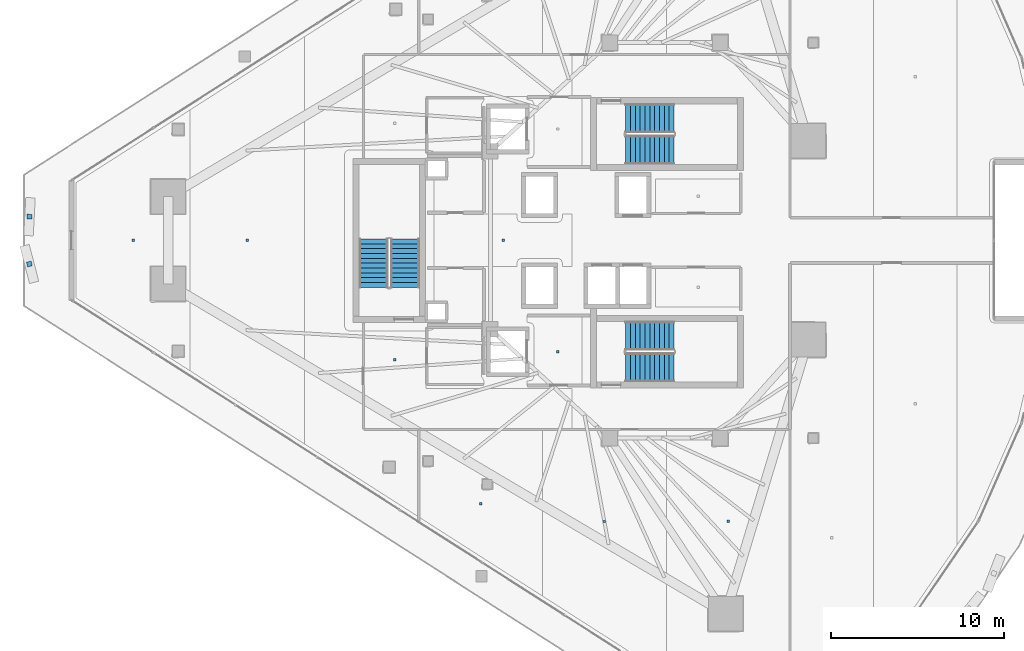
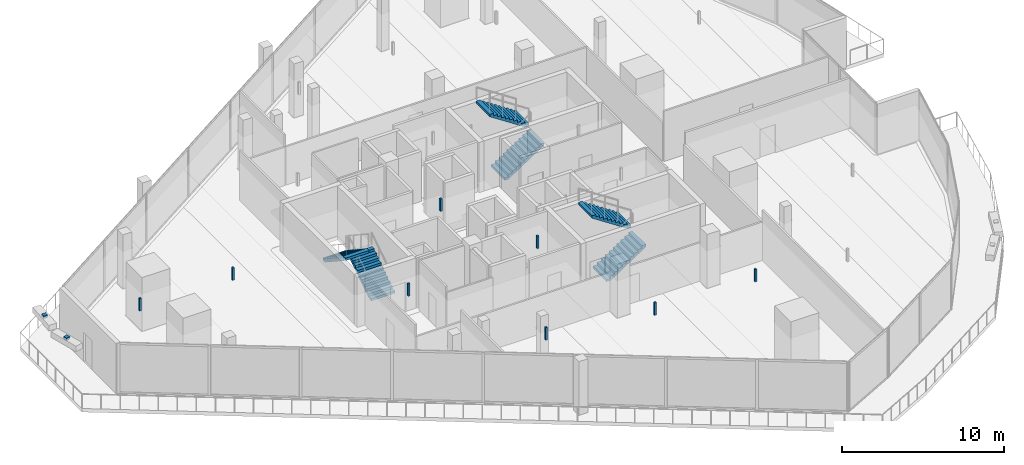
# One storey, part 27 of 36: 10 discrete accessories, 6 stair flights, 3 elements without a shape of their own.
"""IFC4 building model written with IfcOpenShell, lengths in metres."""

from ifc_helpers import new_model, si_unit, direction, frame, origin, origin_2d, place, context, subcontext, project, spatial, polyline, rectangle, outline, extrude, material, layer, layer_set, type_object, element, aggregate, save


model = new_model("IFC4")

# Units and contexts
model_context = context("Model", 3, precision=1e-05, world=origin(), true_north=direction((0.0, 1.0)))
body_context = subcontext(model_context, "Body", "Model", "MODEL_VIEW")
ifc_project = project(units=[si_unit("LENGTHUNIT", "METRE"), si_unit("AREAUNIT", "SQUARE_METRE"), si_unit("VOLUMEUNIT", "CUBIC_METRE"), si_unit("PLANEANGLEUNIT", "RADIAN"), si_unit("MASSUNIT", "GRAM", prefix="KILO")], contexts=[model_context])

# Site, building, storey
site_placement = place(None, origin())
site = spatial("IfcSite", under=ifc_project, at=site_placement, CompositionType="ELEMENT")
building_placement = place(site_placement, origin())
building = spatial("IfcBuilding", under=site, at=building_placement, Name="Qorvath Tower", CompositionType="ELEMENT")
storey_placement = place(building_placement, frame((0.0, 0.0, 192.89990234375)))
storey = spatial("IfcBuildingStorey", under=building, at=storey_placement, Name="L44", CompositionType="ELEMENT", Elevation=192.89990234375)

# Stair, stair flights
ifc_material_1 = material(Name="Concrete C50/60", Category="concrete")
stair_type = type_object("IfcStairType", Name="ST-H405", PredefinedType="HALF_TURN_STAIR", material=ifc_material_1)
stair_1_placement = place(storey_placement, origin())
stair_1 = element("IfcStair", 1, at=stair_1_placement, inside=storey, type_object=stair_type, Name="L44 Tower Exit Stair 1", PredefinedType="HALF_TURN_STAIR")
ifc_material_2 = material(Name="Concrete C50/60", Category="concrete")
ifc_layer = layer(ifc_material_2, 0.14990234375)
ifc_layer_set = layer_set([ifc_layer], Name="SF-H405")
stair_flight_type = type_object("IfcStairFlightType", Name="SF-H405", PredefinedType="STRAIGHT", material=ifc_layer_set)
stair_flight_1_placement = place(storey_placement, frame((-22.669921875, 5.239990234375, 0.0), z_axis=(0.0, 0.0, 1.0), x_axis=(1.0, 0.0, 0.0)))
stair_flight_1 = element("IfcStairFlight", 2, at=stair_flight_1_placement, type_object=stair_flight_type, Name="TS1 flight 1", NumberOfRisers=11, NumberOfTreads=10, PredefinedType="STRAIGHT", RiserHeight=0.184090909, TreadLength=0.28, context=body_context, shape_type="SweptSolid", body=[
    extrude(outline(polyline([(0.0, 0.0), (0.0, 0.18408203125), (0.280029296875, 0.18408203125), (0.280029296875, 0.3681640625), (0.56005859375, 0.3681640625), (0.56005859375, 0.55224609375), (0.840087890625, 0.55224609375), (0.840087890625, 0.736328125), (1.1201171875, 0.736328125), (1.1201171875, 0.92041015625), (1.39990234375, 0.92041015625), (1.39990234375, 1.1044921875), (1.679931640625, 1.1044921875), (1.679931640625, 1.28857421875), (1.9599609375, 1.28857421875), (1.9599609375, 1.47265625), (2.239990234375, 1.47265625), (2.239990234375, 1.65673828125), (2.52001953125, 1.65673828125), (2.52001953125, 1.8408203125), (2.800048828125, 1.8408203125), (2.800048828125, 2.02490234375), (2.800048828125, 1.66162109375), (0.27294921875, 0.0), (0.0, 0.0)])), frame((0.0, 0.83984375, 0.0), z_axis=(0.0, -1.0, 0.0), x_axis=(1.0, 0.0, 0.0)), (0.0, 0.0, 1.0), 1.679931640625),
])
stair_flight_2_placement = place(storey_placement, frame((-19.8701171875, 7.070068359375, 2.025146484375), z_axis=(0.0, 0.0, 1.0), x_axis=(-1.0, 0.0, 0.0)))
stair_flight_2 = element("IfcStairFlight", 3, at=stair_flight_2_placement, type_object=stair_flight_type, Name="TS1 flight 2", NumberOfRisers=11, NumberOfTreads=10, PredefinedType="STRAIGHT", RiserHeight=0.184090909, TreadLength=0.28, context=body_context, shape_type="SweptSolid", body=[
    extrude(outline(polyline([(0.0, 0.0), (0.0, 0.18408203125), (0.280029296875, 0.18408203125), (0.280029296875, 0.3681640625), (0.56005859375, 0.3681640625), (0.56005859375, 0.55224609375), (0.840087890625, 0.55224609375), (0.840087890625, 0.736328125), (1.1201171875, 0.736328125), (1.1201171875, 0.92041015625), (1.39990234375, 0.92041015625), (1.39990234375, 1.1044921875), (1.679931640625, 1.1044921875), (1.679931640625, 1.28857421875), (1.9599609375, 1.28857421875), (1.9599609375, 1.47265625), (2.239990234375, 1.47265625), (2.239990234375, 1.65673828125), (2.52001953125, 1.65673828125), (2.52001953125, 1.8408203125), (2.800048828125, 1.8408203125), (2.800048828125, 2.02490234375), (2.800048828125, 1.66162109375), (0.27294921875, 0.0), (0.0, 0.0)])), frame((0.0, 0.83984375, 0.0), z_axis=(0.0, -1.0, 0.0), x_axis=(1.0, 0.0, 0.0)), (0.0, 0.0, 1.0), 1.679931640625),
])
aggregate(stair_1, [stair_flight_1, stair_flight_2])

stair_2_placement = place(storey_placement, origin())
stair_2 = element("IfcStair", 4, at=stair_2_placement, inside=storey, type_object=stair_type, Name="L44 Tower Exit Stair 2", PredefinedType="HALF_TURN_STAIR")
stair_flight_3_placement = place(storey_placement, frame((-22.669921875, -7.360107421875, 0.0), z_axis=(0.0, 0.0, 1.0), x_axis=(1.0, 0.0, 0.0)))
stair_flight_3 = element("IfcStairFlight", 5, at=stair_flight_3_placement, type_object=stair_flight_type, Name="TS2 flight 1", NumberOfRisers=11, NumberOfTreads=10, PredefinedType="STRAIGHT", RiserHeight=0.184090909, TreadLength=0.28, context=body_context, shape_type="SweptSolid", body=[
    extrude(outline(polyline([(0.0, 0.0), (0.0, 0.18408203125), (0.280029296875, 0.18408203125), (0.280029296875, 0.3681640625), (0.56005859375, 0.3681640625), (0.56005859375, 0.55224609375), (0.840087890625, 0.55224609375), (0.840087890625, 0.736328125), (1.1201171875, 0.736328125), (1.1201171875, 0.92041015625), (1.39990234375, 0.92041015625), (1.39990234375, 1.1044921875), (1.679931640625, 1.1044921875), (1.679931640625, 1.28857421875), (1.9599609375, 1.28857421875), (1.9599609375, 1.47265625), (2.239990234375, 1.47265625), (2.239990234375, 1.65673828125), (2.52001953125, 1.65673828125), (2.52001953125, 1.8408203125), (2.800048828125, 1.8408203125), (2.800048828125, 2.02490234375), (2.800048828125, 1.66162109375), (0.27294921875, 0.0), (0.0, 0.0)])), frame((0.0, 0.83984375, 0.0), z_axis=(0.0, -1.0, 0.0), x_axis=(1.0, 0.0, 0.0)), (0.0, 0.0, 1.0), 1.679931640625),
])
stair_flight_4_placement = place(storey_placement, frame((-19.8701171875, -5.530029296875, 2.025146484375), z_axis=(0.0, 0.0, 1.0), x_axis=(-1.0, 0.0, 0.0)))
stair_flight_4 = element("IfcStairFlight", 6, at=stair_flight_4_placement, type_object=stair_flight_type, Name="TS2 flight 2", NumberOfRisers=11, NumberOfTreads=10, PredefinedType="STRAIGHT", RiserHeight=0.184090909, TreadLength=0.28, context=body_context, shape_type="SweptSolid", body=[
    extrude(outline(polyline([(0.0, 0.0), (0.0, 0.18408203125), (0.280029296875, 0.18408203125), (0.280029296875, 0.3681640625), (0.56005859375, 0.3681640625), (0.56005859375, 0.55224609375), (0.840087890625, 0.55224609375), (0.840087890625, 0.736328125), (1.1201171875, 0.736328125), (1.1201171875, 0.92041015625), (1.39990234375, 0.92041015625), (1.39990234375, 1.1044921875), (1.679931640625, 1.1044921875), (1.679931640625, 1.28857421875), (1.9599609375, 1.28857421875), (1.9599609375, 1.47265625), (2.239990234375, 1.47265625), (2.239990234375, 1.65673828125), (2.52001953125, 1.65673828125), (2.52001953125, 1.8408203125), (2.800048828125, 1.8408203125), (2.800048828125, 2.02490234375), (2.800048828125, 1.66162109375), (0.27294921875, 0.0), (0.0, 0.0)])), frame((0.0, 0.83984375, 0.0), z_axis=(0.0, -1.0, 0.0), x_axis=(1.0, 0.0, 0.0)), (0.0, 0.0, 1.0), 1.679931640625),
])
aggregate(stair_2, [stair_flight_3, stair_flight_4])

stair_3_placement = place(storey_placement, origin())
stair_3 = element("IfcStair", 7, at=stair_3_placement, inside=storey, type_object=stair_type, Name="L44 Tower Exit Stair 3", PredefinedType="HALF_TURN_STAIR")
stair_flight_5_placement = place(storey_placement, frame((-35.43994140625, -2.719970703125, 0.0), z_axis=(0.0, 0.0, 1.0), x_axis=(0.0, 1.0, 0.0)))
stair_flight_5 = element("IfcStairFlight", 8, at=stair_flight_5_placement, type_object=stair_flight_type, Name="TS3 flight 1", NumberOfRisers=11, NumberOfTreads=10, PredefinedType="STRAIGHT", RiserHeight=0.184090909, TreadLength=0.28, context=body_context, shape_type="SweptSolid", body=[
    extrude(outline(polyline([(0.0, 0.0), (0.0, 0.18408203125), (0.280029296875, 0.18408203125), (0.280029296875, 0.3681640625), (0.56005859375, 0.3681640625), (0.56005859375, 0.55224609375), (0.840087890625, 0.55224609375), (0.840087890625, 0.736328125), (1.1201171875, 0.736328125), (1.1201171875, 0.92041015625), (1.39990234375, 0.92041015625), (1.39990234375, 1.1044921875), (1.679931640625, 1.1044921875), (1.679931640625, 1.28857421875), (1.9599609375, 1.28857421875), (1.9599609375, 1.47265625), (2.239990234375, 1.47265625), (2.239990234375, 1.65673828125), (2.52001953125, 1.65673828125), (2.52001953125, 1.8408203125), (2.800048828125, 1.8408203125), (2.800048828125, 2.02490234375), (2.800048828125, 1.66162109375), (0.27294921875, 0.0), (0.0, 0.0)])), frame((0.0, 0.83984375, 0.0), z_axis=(0.0, -1.0, 0.0), x_axis=(1.0, 0.0, 0.0)), (0.0, 0.0, 1.0), 1.679931640625),
])
stair_flight_6_placement = place(storey_placement, frame((-37.27001953125, 0.080078125, 2.025146484375), z_axis=(0.0, 0.0, 1.0), x_axis=(0.0, -1.0, 0.0)))
stair_flight_6 = element("IfcStairFlight", 9, at=stair_flight_6_placement, type_object=stair_flight_type, Name="TS3 flight 2", NumberOfRisers=11, NumberOfTreads=10, PredefinedType="STRAIGHT", RiserHeight=0.184090909, TreadLength=0.28, context=body_context, shape_type="SweptSolid", body=[
    extrude(outline(polyline([(0.0, 0.0), (0.0, 0.18408203125), (0.280029296875, 0.18408203125), (0.280029296875, 0.3681640625), (0.56005859375, 0.3681640625), (0.56005859375, 0.55224609375), (0.840087890625, 0.55224609375), (0.840087890625, 0.736328125), (1.1201171875, 0.736328125), (1.1201171875, 0.92041015625), (1.39990234375, 0.92041015625), (1.39990234375, 1.1044921875), (1.679931640625, 1.1044921875), (1.679931640625, 1.28857421875), (1.9599609375, 1.28857421875), (1.9599609375, 1.47265625), (2.239990234375, 1.47265625), (2.239990234375, 1.65673828125), (2.52001953125, 1.65673828125), (2.52001953125, 1.8408203125), (2.800048828125, 1.8408203125), (2.800048828125, 2.02490234375), (2.800048828125, 1.66162109375), (0.27294921875, 0.0), (0.0, 0.0)])), frame((0.0, 0.83984375, 0.0), z_axis=(0.0, -1.0, 0.0), x_axis=(1.0, 0.0, 0.0)), (0.0, 0.0, 1.0), 1.679931640625),
])
aggregate(stair_3, [stair_flight_5, stair_flight_6])

# Discrete accessories
ifc_material_3 = material(Name="Galvanised steel bracket", Category="steel")
discrete_accessory_type = type_object("IfcDiscreteAccessoryType", Name="DA-BRACKET", PredefinedType="BRACKET", material=ifc_material_3)
for number, where, z_axis, x_axis, name in (
    (10, (-57.19873046875, 1.369873046875, 3.64013671875), (0.0, 0.0, 1.0), (-0.053186490579, -0.998584596927, 0.0), "Louvre Wave Support Bracket L44-01"),
    (11, (-57.206298828125, -1.369873046875, 3.64013671875), (0.0, 0.0, 1.0), (0.251647091481, -0.967819064366, 0.0), "Louvre Wave Support Bracket L44-02"),
):
    element("IfcDiscreteAccessory", number, at=place(storey_placement, frame(where, z_axis=z_axis, x_axis=x_axis)), inside=storey, type_object=discrete_accessory_type, Name=name, PredefinedType="NOTDEFINED", context=body_context, shape_type="SweptSolid", body=[
        extrude(rectangle(XDim=0.280029296875, YDim=0.280029296875, at=origin_2d()), origin(), (0.0, 0.0, 1.0), 0.199951171875),
    ])
for number, where, z_axis, x_axis, name in (
    (12, (-26.590087890625, -6.449951171875, 2.85986328125), (0.0, 0.0, 1.0), (1.0, 0.0, 0.0), "Acoustic Ceiling Suspension Hanger T1-L44-002"),
    (13, (-36.04150390625, -6.9072265625, 2.85986328125), (0.0, 0.0, 1.0), (1.0, 0.0, 0.0), "Acoustic Ceiling Suspension Hanger T1-L44-009"),
    (14, (-29.763916015625, 0.0, 2.85986328125), (0.0, 0.0, 1.0), (1.0, 0.0, 0.0), "Acoustic Ceiling Suspension Hanger T1-L44-011"),
    (15, (-51.198974609375, 0.0, 2.85986328125), (0.0, 0.0, 1.0), (1.0, 0.0, 0.0), "Acoustic Ceiling Suspension Hanger T1-L44-012"),
    (16, (-44.581298828125, 0.0, 2.85986328125), (0.0, 0.0, 1.0), (1.0, 0.0, 0.0), "Acoustic Ceiling Suspension Hanger T1-L44-013"),
    (17, (-31.056640625, -15.24560546875, 2.85986328125), (0.0, 0.0, 1.0), (1.0, 0.0, 0.0), "Acoustic Ceiling Suspension Hanger T1-L44-018"),
    (18, (-23.89599609375, -16.2841796875, 2.85986328125), (0.0, 0.0, 1.0), (1.0, 0.0, 0.0), "Acoustic Ceiling Suspension Hanger T1-L44-019"),
    (19, (-16.7353515625, -16.272216796875, 2.85986328125), (0.0, 0.0, 1.0), (1.0, 0.0, 0.0), "Acoustic Ceiling Suspension Hanger T1-L44-020"),
):
    element("IfcDiscreteAccessory", number, at=place(storey_placement, frame(where, z_axis=z_axis, x_axis=x_axis)), inside=storey, type_object=discrete_accessory_type, Name=name, PredefinedType="NOTDEFINED", context=body_context, shape_type="SweptSolid", body=[
        extrude(rectangle(XDim=0.139892578125, YDim=0.139892578125, at=origin_2d()), origin(), (0.0, 0.0, 1.0), 0.949951171875),
    ])

save(model, "model.ifc")
